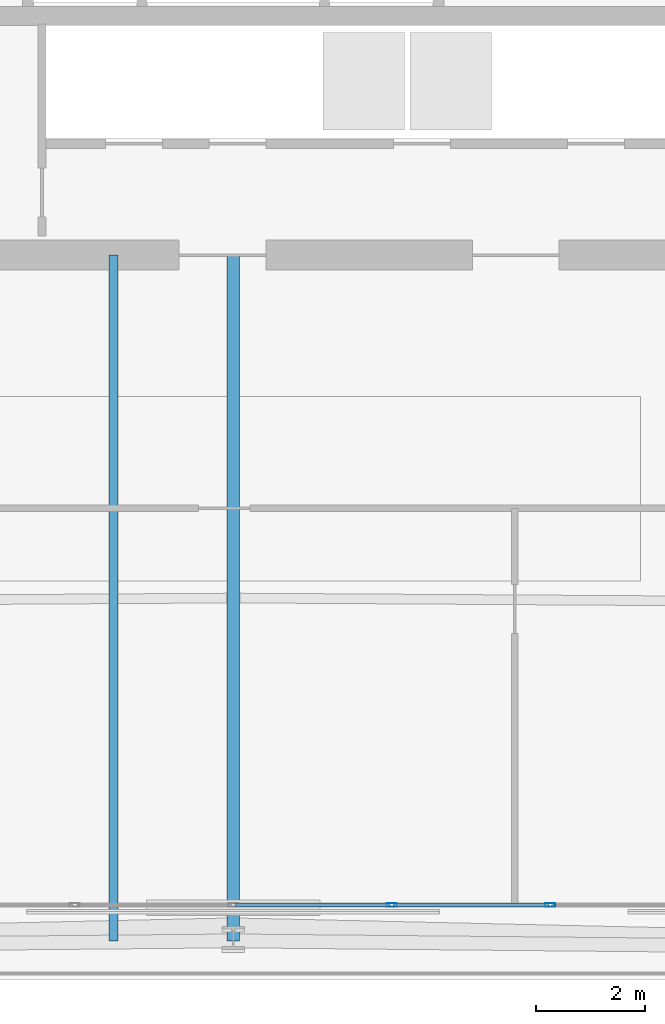
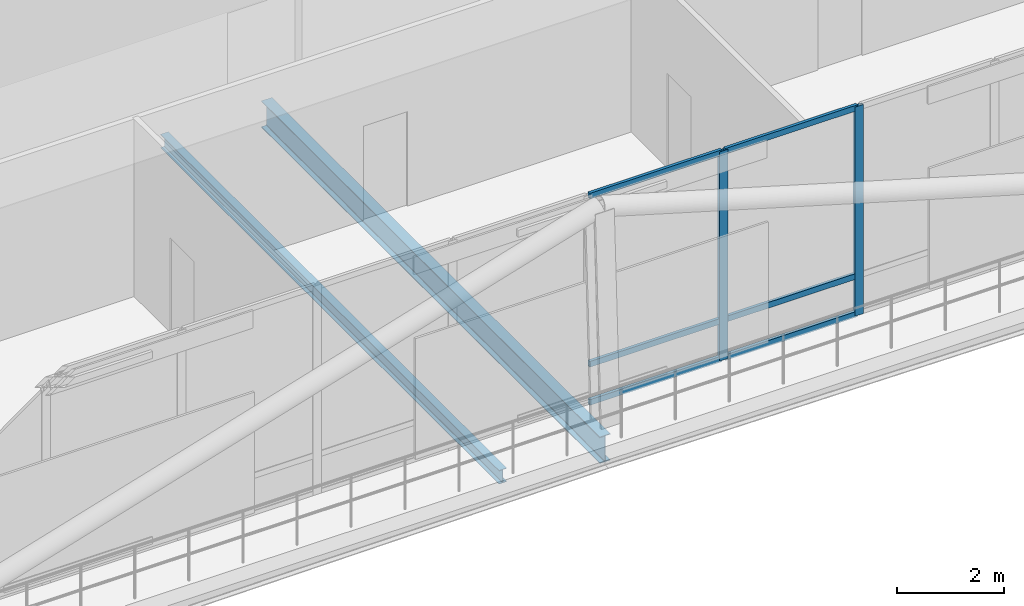
# One storey, part 9 of 34: 8 members, 2 beams, 1 element without a shape of its own.
"""IFC4 building model written with IfcOpenShell, lengths in metres."""

from ifc_helpers import new_model, si_unit, direction, frame, origin, origin_2d, place, context, subcontext, project, spatial, hollow_rectangle, i_section, extrude, material, layer, layer_set, material_profile, profile_set, type_object, element, aggregate, save


model = new_model("IFC4")

# Units and contexts
model_context = context("Model", 3, precision=1e-05, world=origin(), true_north=direction((0.0, 1.0)))
body_context = subcontext(model_context, "Body", "Model", "MODEL_VIEW")
ifc_project = project(units=[si_unit("LENGTHUNIT", "METRE"), si_unit("AREAUNIT", "SQUARE_METRE"), si_unit("VOLUMEUNIT", "CUBIC_METRE"), si_unit("PLANEANGLEUNIT", "RADIAN"), si_unit("MASSUNIT", "GRAM", prefix="KILO")], contexts=[model_context])

# Site, building, storey
site_placement = place(None, origin())
site = spatial("IfcSite", under=ifc_project, at=site_placement, CompositionType="ELEMENT")
building_placement = place(site_placement, origin())
building = spatial("IfcBuilding", under=site, at=building_placement, Name="Caelvoria Tower", CompositionType="ELEMENT")
storey_placement = place(building_placement, frame((0.0, 0.0, 172.0)))
storey = spatial("IfcBuildingStorey", under=building, at=storey_placement, Name="L45", CompositionType="ELEMENT", Elevation=172.0)

# Beam
ifc_material_1 = material(Name="Structural Steel ASTM A992 Gr.50", Category="steel")
ifc_material_profile_1 = material_profile(ifc_material_1, i_section(OverallWidth=0.166015625, OverallDepth=0.31298828125, WebThickness=0.006591796875, FlangeThickness=0.01123046875, FilletRadius=0.011962890625, at=origin_2d()), Name="Structural Steel ASTM A992 Gr.50")
ifc_profile_set_1 = profile_set([ifc_material_profile_1], Name="W310X44.5 - Structural Steel ASTM A992 Gr.50")
beam_type_1 = type_object("IfcBeamType", Name="Composite Floor Intermediate Joist W310X44.5", PredefinedType="JOIST", material=ifc_profile_set_1)
beam_1_placement = place(storey_placement, frame((43.800048828125, 24.0, -0.47705078125), z_axis=(0.0, -1.0, 0.0), x_axis=(1.0, 0.0, 0.0)))
element("IfcBeam", 1, at=beam_1_placement, inside=storey, type_object=beam_type_1, Name="Intermediate Floor Joist L45 South", PredefinedType="JOIST", context=body_context, shape_type="SweptSolid", body=[
    extrude(i_section(OverallWidth=0.166015625, OverallDepth=0.31298828125, WebThickness=0.006591796875, FlangeThickness=0.01123046875, FilletRadius=0.011962890625, at=origin_2d()), origin(), (0.0, 0.0, 1.0), 12.6201171875),
])

# Curtain wall, members
ifc_material_2 = material(Name="Anodised Bronze Aluminium and Low-E Glass", Category="aluminium")
ifc_layer = layer(ifc_material_2, 0.2099609375, Name="Anodised Bronze Aluminium and Low-E Glass")
ifc_layer_set = layer_set([ifc_layer], Name="CW System 3 Sky Lobby Double-Height Acoustic Facade - Anodised Bronze Aluminium and Low-E Glass")
curtain_wall_type = type_object("IfcCurtainWallType", Name="CW System 3 Sky Lobby Double-Height Acoustic Facade", PredefinedType="NOTDEFINED", material=ifc_layer_set)
curtain_wall_placement = place(storey_placement, origin())
curtain_wall = element("IfcCurtainWall", 2, at=curtain_wall_placement, inside=storey, type_object=curtain_wall_type, Name="CW-03 Curtain Wall L45-E0", PredefinedType="NOTDEFINED")
ifc_material_3 = material(Name="Anodised Bronze Architectural Aluminium", Category="aluminium")
ifc_material_profile_2 = material_profile(ifc_material_3, hollow_rectangle(XDim=0.070068359375, YDim=0.179931640625, WallThickness=0.00390625, at=origin_2d()), Name="Anodised Bronze Architectural Aluminium")
ifc_profile_set_2 = profile_set([ifc_material_profile_2], Name="CW_MULL_70X180 - Anodised Bronze Architectural Aluminium")
member_type_1 = type_object("IfcMemberType", Name="Curtain Wall Mullion 70x180 Bronze Aluminium", PredefinedType="MULLION", material=ifc_profile_set_2)
member_1_placement = place(storey_placement, frame((48.916748046875, 12.0400390625, 0.0), z_axis=(0.0, 0.0, 1.0), x_axis=(0.0, 1.0, 0.0)))
member_1 = element("IfcMember", 3, at=member_1_placement, type_object=member_type_1, Name="CW-03 mullion 8", PredefinedType="MULLION", context=body_context, shape_type="SweptSolid", body=[
    extrude(hollow_rectangle(XDim=0.070068359375, YDim=0.179931640625, WallThickness=0.00390625, at=origin_2d()), origin(), (0.0, 0.0, 1.0), 4.760009765625),
])
member_2_placement = place(storey_placement, frame((51.833251953125, 12.0400390625, 0.0), z_axis=(0.0, 0.0, 1.0), x_axis=(0.0, 1.0, 0.0)))
member_2 = element("IfcMember", 4, at=member_2_placement, type_object=member_type_1, Name="CW-03 mullion 9", PredefinedType="MULLION", context=body_context, shape_type="SweptSolid", body=[
    extrude(hollow_rectangle(XDim=0.070068359375, YDim=0.179931640625, WallThickness=0.00390625, at=origin_2d()), origin(), (0.0, 0.0, 1.0), 4.760009765625),
])
ifc_material_profile_3 = material_profile(ifc_material_3, hollow_rectangle(XDim=0.06494140625, YDim=0.1298828125, WallThickness=0.00341796875, at=origin_2d()), Name="Anodised Bronze Architectural Aluminium")
ifc_profile_set_3 = profile_set([ifc_material_profile_3], Name="CW_TRAN_65X130 - Anodised Bronze Architectural Aluminium")
member_type_2 = type_object("IfcMemberType", Name="Curtain Wall Transom 65x130 Bronze Aluminium", PredefinedType="USERDEFINED", material=ifc_profile_set_3)
member_3_placement = place(storey_placement, frame((46.034912109375, 12.0400390625, 0.032470703125), z_axis=(1.0, 0.0, 0.0), x_axis=(0.0, 1.0, 0.0)))
member_3 = element("IfcMember", 5, at=member_3_placement, type_object=member_type_2, Name="CW-03 transom 7.1", ObjectType="TRANSOM", PredefinedType="USERDEFINED", context=body_context, shape_type="SweptSolid", body=[
    extrude(hollow_rectangle(XDim=0.06494140625, YDim=0.1298828125, WallThickness=0.00341796875, at=origin_2d()), origin(), (0.0, 0.0, 1.0), 2.8466796875),
])
member_4_placement = place(storey_placement, frame((46.034912109375, 12.0400390625, 0.89990234375), z_axis=(1.0, 0.0, 0.0), x_axis=(0.0, 1.0, 0.0)))
member_4 = element("IfcMember", 6, at=member_4_placement, type_object=member_type_2, Name="CW-03 transom 7.2", ObjectType="TRANSOM", PredefinedType="USERDEFINED", context=body_context, shape_type="SweptSolid", body=[
    extrude(hollow_rectangle(XDim=0.06494140625, YDim=0.1298828125, WallThickness=0.00341796875, at=origin_2d()), origin(), (0.0, 0.0, 1.0), 2.8466796875),
])
member_5_placement = place(storey_placement, frame((46.034912109375, 12.0400390625, 4.7275390625), z_axis=(1.0, 0.0, 0.0), x_axis=(0.0, 1.0, 0.0)))
member_5 = element("IfcMember", 7, at=member_5_placement, type_object=member_type_2, Name="CW-03 transom 7.3", ObjectType="TRANSOM", PredefinedType="USERDEFINED", context=body_context, shape_type="SweptSolid", body=[
    extrude(hollow_rectangle(XDim=0.06494140625, YDim=0.1298828125, WallThickness=0.00341796875, at=origin_2d()), origin(), (0.0, 0.0, 1.0), 2.8466796875),
])
member_6_placement = place(storey_placement, frame((48.95166015625, 12.0400390625, 0.032470703125), z_axis=(1.0, 0.0, 0.0), x_axis=(0.0, 1.0, 0.0)))
member_6 = element("IfcMember", 8, at=member_6_placement, type_object=member_type_2, Name="CW-03 transom 8.1", ObjectType="TRANSOM", PredefinedType="USERDEFINED", context=body_context, shape_type="SweptSolid", body=[
    extrude(hollow_rectangle(XDim=0.06494140625, YDim=0.1298828125, WallThickness=0.00341796875, at=origin_2d()), origin(), (0.0, 0.0, 1.0), 2.8466796875),
])
member_7_placement = place(storey_placement, frame((48.95166015625, 12.0400390625, 0.89990234375), z_axis=(1.0, 0.0, 0.0), x_axis=(0.0, 1.0, 0.0)))
member_7 = element("IfcMember", 9, at=member_7_placement, type_object=member_type_2, Name="CW-03 transom 8.2", ObjectType="TRANSOM", PredefinedType="USERDEFINED", context=body_context, shape_type="SweptSolid", body=[
    extrude(hollow_rectangle(XDim=0.06494140625, YDim=0.1298828125, WallThickness=0.00341796875, at=origin_2d()), origin(), (0.0, 0.0, 1.0), 2.8466796875),
])
member_8_placement = place(storey_placement, frame((48.95166015625, 12.0400390625, 4.7275390625), z_axis=(1.0, 0.0, 0.0), x_axis=(0.0, 1.0, 0.0)))
member_8 = element("IfcMember", 10, at=member_8_placement, type_object=member_type_2, Name="CW-03 transom 8.3", ObjectType="TRANSOM", PredefinedType="USERDEFINED", context=body_context, shape_type="SweptSolid", body=[
    extrude(hollow_rectangle(XDim=0.06494140625, YDim=0.1298828125, WallThickness=0.00341796875, at=origin_2d()), origin(), (0.0, 0.0, 1.0), 2.8466796875),
])
aggregate(curtain_wall, [member_1, member_2, member_3, member_4, member_5, member_6, member_7, member_8])

# Beam
ifc_material_profile_4 = material_profile(ifc_material_1, i_section(OverallWidth=0.22802734375, OverallDepth=0.60302734375, WebThickness=0.010498046875, FlangeThickness=0.014892578125, FilletRadius=0.01806640625, at=origin_2d()), Name="Structural Steel ASTM A992 Gr.50")
ifc_profile_set_4 = profile_set([ifc_material_profile_4], Name="W610X101 - Structural Steel ASTM A992 Gr.50")
beam_type_2 = type_object("IfcBeamType", Name="Primary Floor Girder W610X101", PredefinedType="BEAM", material=ifc_profile_set_4)
beam_2_placement = place(storey_placement, frame((46.0, 24.0, -0.62158203125), z_axis=(0.0, -1.0, 0.0), x_axis=(1.0, 0.0, 0.0)))
element("IfcBeam", 11, at=beam_2_placement, inside=storey, type_object=beam_type_2, Name="Primary Floor Girder L45-01", PredefinedType="BEAM", context=body_context, shape_type="SweptSolid", body=[
    extrude(i_section(OverallWidth=0.22802734375, OverallDepth=0.60302734375, WebThickness=0.010498046875, FlangeThickness=0.014892578125, FilletRadius=0.01806640625, at=origin_2d()), origin(), (0.0, 0.0, 1.0), 12.6201171875),
])

save(model, "model.ifc")
